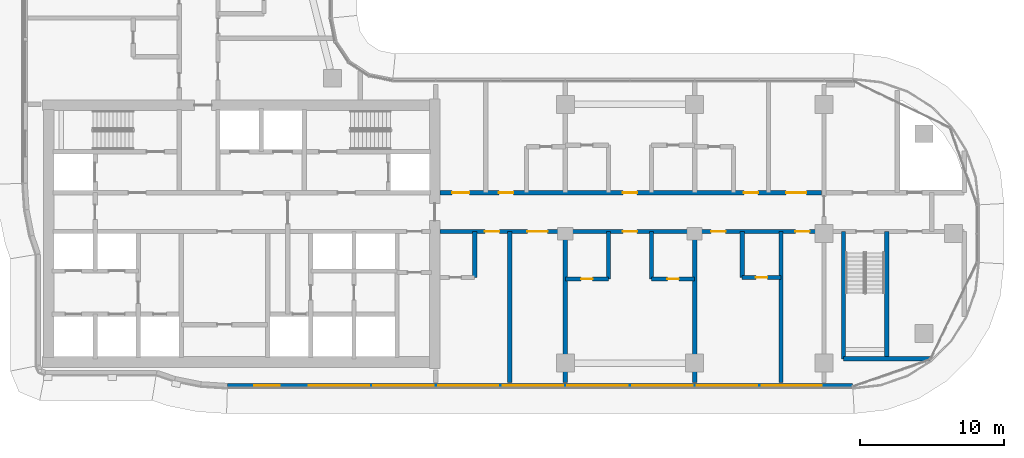
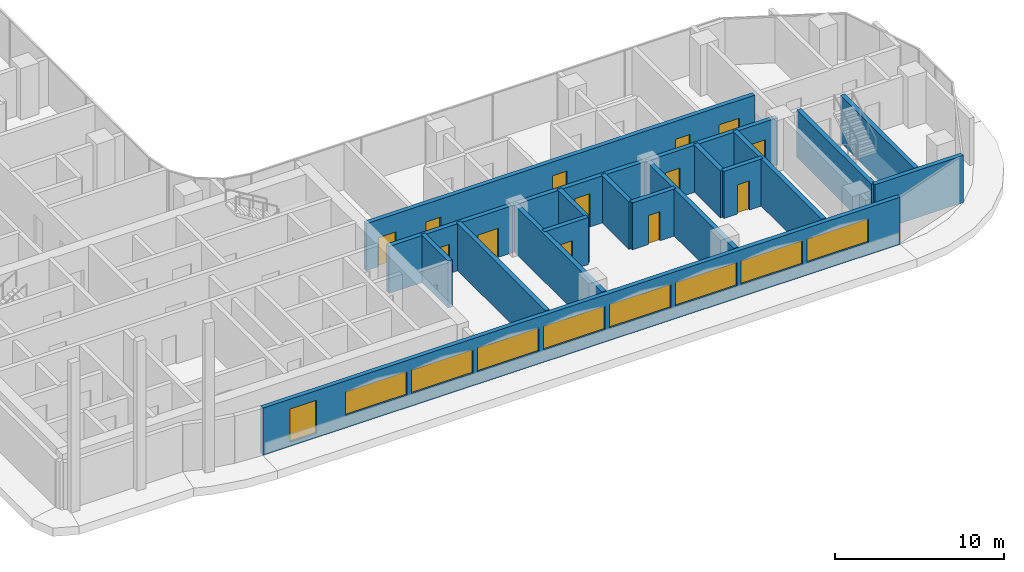
# One storey, part 11 of 25: 17 walls, 13 doors, 9 windows, 22 openings.
"""IFC4 building model written with IfcOpenShell, lengths in metres."""

from ifc_helpers import new_model, si_unit, direction, frame, frame_2d, origin, place, context, subcontext, project, spatial, rectangle, extrude, material, layer, layer_set, type_object, element, fill, save


model = new_model("IFC4")

# Units and contexts
model_context = context("Model", 3, precision=1e-05, world=origin(), true_north=direction((0.0, 1.0)))
body_context = subcontext(model_context, "Body", "Model", "MODEL_VIEW")
ifc_project = project(units=[si_unit("LENGTHUNIT", "METRE"), si_unit("AREAUNIT", "SQUARE_METRE"), si_unit("VOLUMEUNIT", "CUBIC_METRE"), si_unit("PLANEANGLEUNIT", "RADIAN"), si_unit("MASSUNIT", "GRAM", prefix="KILO")], contexts=[model_context])

# Site, building, storey
site_placement = place(None, origin())
site = spatial("IfcSite", under=ifc_project, at=site_placement, CompositionType="ELEMENT")
building_placement = place(site_placement, origin())
building = spatial("IfcBuilding", under=site, at=building_placement, Name="Ogive Portal Towers", CompositionType="ELEMENT")
storey_placement = place(building_placement, frame((0.0, 0.0, 124.10009765625)))
storey = spatial("IfcBuildingStorey", under=building, at=storey_placement, Name="L30", CompositionType="ELEMENT", Elevation=124.10009765625)

# Wall, openings, windows
ifc_material_1 = material(Name="Limestone cladding on lightweight block wall", Category="masonry")
ifc_layer_1 = layer(ifc_material_1, 0.300048828125)
ifc_layer_set_1 = layer_set([ifc_layer_1], Name="EXTERNAL WALL 300 STONE")
wall_type_1 = type_object("IfcWallType", Name="EXTERNAL WALL 300 STONE", PredefinedType="SOLIDWALL", material=ifc_layer_set_1)
wall_1_placement = place(storey_placement, frame((44.009765625, 19.93505859375, 0.0), z_axis=(0.0, 0.0, 1.0), x_axis=(1.0, 0.0, 0.0)))
wall_1 = element("IfcWall", 1, at=wall_1_placement, inside=storey, type_object=wall_type_1, Name="A:L30:f07:r0:wall", PredefinedType="SOLIDWALL", context=body_context, shape_type="SweptSolid", body=[
    extrude(rectangle(XDim=43.4765625, YDim=0.300048828125, at=frame_2d((21.73828125, 0.0))), origin(), (0.0, 0.0, 1.0), 3.39990234375),
])
opening_1_placement = place(wall_1_placement, frame((1.844970703125, 0.0, 0.300048828125)))
opening_1 = element("IfcOpeningElement", 2, at=opening_1_placement, cuts=wall_1, Name="Opening WN10", PredefinedType="OPENING", context=body_context, shape_type="SweptSolid", body=[
    extrude(rectangle(XDim=1.800048828125, YDim=2.39990234375, at=frame_2d((0.89990234375, 1.199951171875))), frame((0.0, 0.16015625, 0.0), z_axis=(0.0, -1.0, 0.0), x_axis=(1.0, 0.0, 0.0)), (0.0, 0.0, 1.0), 0.320068359375),
])
opening_2_placement = place(wall_1_placement, frame((5.64013671875, 0.0, 0.89990234375)))
opening_2 = element("IfcOpeningElement", 3, at=opening_2_placement, cuts=wall_1, Name="Opening WN13", PredefinedType="OPENING", context=body_context, shape_type="SweptSolid", body=[
    extrude(rectangle(XDim=4.199951171875, YDim=1.699951171875, at=frame_2d((2.10009765625, 0.85009765625))), frame((0.0, 0.16015625, 0.0), z_axis=(0.0, -1.0, 0.0), x_axis=(1.0, 0.0, 0.0)), (0.0, 0.0, 1.0), 0.320068359375),
])
opening_3_placement = place(wall_1_placement, frame((10.14013671875, 0.0, 0.89990234375)))
opening_3 = element("IfcOpeningElement", 4, at=opening_3_placement, cuts=wall_1, Name="Opening WN13", PredefinedType="OPENING", context=body_context, shape_type="SweptSolid", body=[
    extrude(rectangle(XDim=4.199951171875, YDim=1.699951171875, at=frame_2d((2.10009765625, 0.85009765625))), frame((0.0, 0.16015625, 0.0), z_axis=(0.0, -1.0, 0.0), x_axis=(1.0, 0.0, 0.0)), (0.0, 0.0, 1.0), 0.320068359375),
])
opening_4_placement = place(wall_1_placement, frame((14.64013671875, 0.0, 0.89990234375)))
opening_4 = element("IfcOpeningElement", 5, at=opening_4_placement, cuts=wall_1, Name="Opening WN13", PredefinedType="OPENING", context=body_context, shape_type="SweptSolid", body=[
    extrude(rectangle(XDim=4.199951171875, YDim=1.699951171875, at=frame_2d((2.10009765625, 0.85009765625))), frame((0.0, 0.16015625, 0.0), z_axis=(0.0, -1.0, 0.0), x_axis=(1.0, 0.0, 0.0)), (0.0, 0.0, 1.0), 0.320068359375),
])
opening_5_placement = place(wall_1_placement, frame((19.14013671875, 0.0, 0.89990234375)))
opening_5 = element("IfcOpeningElement", 6, at=opening_5_placement, cuts=wall_1, Name="Opening WN13", PredefinedType="OPENING", context=body_context, shape_type="SweptSolid", body=[
    extrude(rectangle(XDim=4.199951171875, YDim=1.699951171875, at=frame_2d((2.10009765625, 0.85009765625))), frame((0.0, 0.16015625, 0.0), z_axis=(0.0, -1.0, 0.0), x_axis=(1.0, 0.0, 0.0)), (0.0, 0.0, 1.0), 0.320068359375),
])
opening_6_placement = place(wall_1_placement, frame((23.64013671875, 0.0, 0.89990234375)))
opening_6 = element("IfcOpeningElement", 7, at=opening_6_placement, cuts=wall_1, Name="Opening WN13", PredefinedType="OPENING", context=body_context, shape_type="SweptSolid", body=[
    extrude(rectangle(XDim=4.199951171875, YDim=1.699951171875, at=frame_2d((2.10009765625, 0.85009765625))), frame((0.0, 0.16015625, 0.0), z_axis=(0.0, -1.0, 0.0), x_axis=(1.0, 0.0, 0.0)), (0.0, 0.0, 1.0), 0.320068359375),
])
opening_7_placement = place(wall_1_placement, frame((28.14013671875, 0.0, 0.89990234375)))
opening_7 = element("IfcOpeningElement", 8, at=opening_7_placement, cuts=wall_1, Name="Opening WN13", PredefinedType="OPENING", context=body_context, shape_type="SweptSolid", body=[
    extrude(rectangle(XDim=4.199951171875, YDim=1.699951171875, at=frame_2d((2.10009765625, 0.85009765625))), frame((0.0, 0.16015625, 0.0), z_axis=(0.0, -1.0, 0.0), x_axis=(1.0, 0.0, 0.0)), (0.0, 0.0, 1.0), 0.320068359375),
])
opening_8_placement = place(wall_1_placement, frame((32.64013671875, 0.0, 0.89990234375)))
opening_8 = element("IfcOpeningElement", 9, at=opening_8_placement, cuts=wall_1, Name="Opening WN13", PredefinedType="OPENING", context=body_context, shape_type="SweptSolid", body=[
    extrude(rectangle(XDim=4.199951171875, YDim=1.699951171875, at=frame_2d((2.10009765625, 0.85009765625))), frame((0.0, 0.16015625, 0.0), z_axis=(0.0, -1.0, 0.0), x_axis=(1.0, 0.0, 0.0)), (0.0, 0.0, 1.0), 0.320068359375),
])
opening_9_placement = place(wall_1_placement, frame((37.14013671875, 0.0, 0.89990234375)))
opening_9 = element("IfcOpeningElement", 10, at=opening_9_placement, cuts=wall_1, Name="Opening WN13", PredefinedType="OPENING", context=body_context, shape_type="SweptSolid", body=[
    extrude(rectangle(XDim=4.199951171875, YDim=1.699951171875, at=frame_2d((2.10009765625, 0.85009765625))), frame((0.0, 0.16015625, 0.0), z_axis=(0.0, -1.0, 0.0), x_axis=(1.0, 0.0, 0.0)), (0.0, 0.0, 1.0), 0.320068359375),
])
ifc_material_2 = material(Name="Glass, clear low-iron insulated glazing", Category="glass")
window_type_1 = type_object("IfcWindowType", Name="WINDOW RIBBON LANCET 4200x1700", PartitioningType="TRIPLE_PANEL_VERTICAL", PredefinedType="WINDOW", material=ifc_material_2)
window_1_placement = place(opening_2_placement, origin())
window_1 = element("IfcWindow", 11, at=window_1_placement, inside=storey, type_object=window_type_1, Name="A:L30:f07:r0:w1", OverallHeight=1.699951171875, OverallWidth=4.199951171875, PartitioningType="SINGLE_PANEL", PredefinedType="WINDOW", context=body_context, shape_type="SweptSolid", body=[
    extrude(rectangle(XDim=4.199951171875, YDim=1.699951171875, at=frame_2d((2.10009765625, 0.85009765625))), frame((0.0, 0.030029296875, 0.0), z_axis=(0.0, -1.0, 0.0), x_axis=(1.0, 0.0, 0.0)), (0.0, 0.0, 1.0), 0.06005859375),
])
fill(opening_2, window_1)
window_2_placement = place(opening_3_placement, origin())
window_2 = element("IfcWindow", 12, at=window_2_placement, inside=storey, type_object=window_type_1, Name="A:L30:f07:r0:w2", OverallHeight=1.699951171875, OverallWidth=4.199951171875, PartitioningType="SINGLE_PANEL", PredefinedType="WINDOW", context=body_context, shape_type="SweptSolid", body=[
    extrude(rectangle(XDim=4.199951171875, YDim=1.699951171875, at=frame_2d((2.10009765625, 0.85009765625))), frame((0.0, 0.030029296875, 0.0), z_axis=(0.0, -1.0, 0.0), x_axis=(1.0, 0.0, 0.0)), (0.0, 0.0, 1.0), 0.06005859375),
])
fill(opening_3, window_2)
window_3_placement = place(opening_4_placement, origin())
window_3 = element("IfcWindow", 13, at=window_3_placement, inside=storey, type_object=window_type_1, Name="A:L30:f07:r0:w3", OverallHeight=1.699951171875, OverallWidth=4.199951171875, PartitioningType="SINGLE_PANEL", PredefinedType="WINDOW", context=body_context, shape_type="SweptSolid", body=[
    extrude(rectangle(XDim=4.199951171875, YDim=1.699951171875, at=frame_2d((2.10009765625, 0.85009765625))), frame((0.0, 0.030029296875, 0.0), z_axis=(0.0, -1.0, 0.0), x_axis=(1.0, 0.0, 0.0)), (0.0, 0.0, 1.0), 0.06005859375),
])
fill(opening_4, window_3)
window_4_placement = place(opening_5_placement, origin())
window_4 = element("IfcWindow", 14, at=window_4_placement, inside=storey, type_object=window_type_1, Name="A:L30:f07:r0:w4", OverallHeight=1.699951171875, OverallWidth=4.199951171875, PartitioningType="SINGLE_PANEL", PredefinedType="WINDOW", context=body_context, shape_type="SweptSolid", body=[
    extrude(rectangle(XDim=4.199951171875, YDim=1.699951171875, at=frame_2d((2.10009765625, 0.85009765625))), frame((0.0, 0.030029296875, 0.0), z_axis=(0.0, -1.0, 0.0), x_axis=(1.0, 0.0, 0.0)), (0.0, 0.0, 1.0), 0.06005859375),
])
fill(opening_5, window_4)
window_5_placement = place(opening_6_placement, origin())
window_5 = element("IfcWindow", 15, at=window_5_placement, inside=storey, type_object=window_type_1, Name="A:L30:f07:r0:w5", OverallHeight=1.699951171875, OverallWidth=4.199951171875, PartitioningType="SINGLE_PANEL", PredefinedType="WINDOW", context=body_context, shape_type="SweptSolid", body=[
    extrude(rectangle(XDim=4.199951171875, YDim=1.699951171875, at=frame_2d((2.10009765625, 0.85009765625))), frame((0.0, 0.030029296875, 0.0), z_axis=(0.0, -1.0, 0.0), x_axis=(1.0, 0.0, 0.0)), (0.0, 0.0, 1.0), 0.06005859375),
])
fill(opening_6, window_5)
window_6_placement = place(opening_7_placement, origin())
window_6 = element("IfcWindow", 16, at=window_6_placement, inside=storey, type_object=window_type_1, Name="A:L30:f07:r0:w6", OverallHeight=1.699951171875, OverallWidth=4.199951171875, PartitioningType="SINGLE_PANEL", PredefinedType="WINDOW", context=body_context, shape_type="SweptSolid", body=[
    extrude(rectangle(XDim=4.199951171875, YDim=1.699951171875, at=frame_2d((2.10009765625, 0.85009765625))), frame((0.0, 0.030029296875, 0.0), z_axis=(0.0, -1.0, 0.0), x_axis=(1.0, 0.0, 0.0)), (0.0, 0.0, 1.0), 0.06005859375),
])
fill(opening_7, window_6)
window_7_placement = place(opening_8_placement, origin())
window_7 = element("IfcWindow", 17, at=window_7_placement, inside=storey, type_object=window_type_1, Name="A:L30:f07:r0:w7", OverallHeight=1.699951171875, OverallWidth=4.199951171875, PartitioningType="SINGLE_PANEL", PredefinedType="WINDOW", context=body_context, shape_type="SweptSolid", body=[
    extrude(rectangle(XDim=4.199951171875, YDim=1.699951171875, at=frame_2d((2.10009765625, 0.85009765625))), frame((0.0, 0.030029296875, 0.0), z_axis=(0.0, -1.0, 0.0), x_axis=(1.0, 0.0, 0.0)), (0.0, 0.0, 1.0), 0.06005859375),
])
fill(opening_8, window_7)
window_8_placement = place(opening_9_placement, origin())
window_8 = element("IfcWindow", 18, at=window_8_placement, inside=storey, type_object=window_type_1, Name="A:L30:f07:r0:w8", OverallHeight=1.699951171875, OverallWidth=4.199951171875, PartitioningType="SINGLE_PANEL", PredefinedType="WINDOW", context=body_context, shape_type="SweptSolid", body=[
    extrude(rectangle(XDim=4.199951171875, YDim=1.699951171875, at=frame_2d((2.10009765625, 0.85009765625))), frame((0.0, 0.030029296875, 0.0), z_axis=(0.0, -1.0, 0.0), x_axis=(1.0, 0.0, 0.0)), (0.0, 0.0, 1.0), 0.06005859375),
])
fill(opening_9, window_8)
window_type_2 = type_object("IfcWindowType", Name="WINDOW SUITE CORNER 1800x2400", PartitioningType="DOUBLE_PANEL_VERTICAL", PredefinedType="WINDOW", material=ifc_material_2)
window_9_placement = place(opening_1_placement, origin())
window_9 = element("IfcWindow", 19, at=window_9_placement, inside=storey, type_object=window_type_2, Name="A:L30:f07:r0:w0", OverallHeight=2.39990234375, OverallWidth=1.800048828125, PartitioningType="SINGLE_PANEL", PredefinedType="WINDOW", context=body_context, shape_type="SweptSolid", body=[
    extrude(rectangle(XDim=1.800048828125, YDim=2.39990234375, at=frame_2d((0.89990234375, 1.199951171875))), frame((0.0, 0.030029296875, 0.0), z_axis=(0.0, -1.0, 0.0), x_axis=(1.0, 0.0, 0.0)), (0.0, 0.0, 1.0), 0.06005859375),
])
fill(opening_1, window_9)

# Walls
ifc_material_3 = material(Name="Concrete C50/60", Category="concrete")
ifc_layer_2 = layer(ifc_material_3, 0.300048828125)
ifc_layer_set_2 = layer_set([ifc_layer_2], Name="STAIR WALL 300 C50")
wall_type_2 = type_object("IfcWallType", Name="STAIR WALL 300 C50", PredefinedType="SHEAR", material=ifc_layer_set_2)
wall_2_placement = place(storey_placement, frame((86.85009765625, 21.800048828125, 0.0), z_axis=(0.0, 0.0, 1.0), x_axis=(1.0, 0.0, 0.0)))
element("IfcWall", 20, at=wall_2_placement, inside=storey, type_object=wall_type_2, Name="Stair wall ST-A4 L30", PredefinedType="SHEAR", context=body_context, shape_type="SweptSolid", body=[
    extrude(rectangle(XDim=6.0458984375, YDim=0.300048828125, at=frame_2d((3.02294921875, 0.0))), origin(), (0.0, 0.0, 1.0), 3.39990234375),
])
for number, where, z_axis, x_axis, name in (
    (21, (86.85009765625, 21.800048828125, 0.0), (0.0, 0.0, 1.0), (0.0, 1.0, 0.0), "Stair wall ST-A4 L30"),
    (22, (89.85009765625, 21.800048828125, 0.0), (0.0, 0.0, 1.0), (0.0, 1.0, 0.0), "Stair wall ST-A4 L30"),
):
    element("IfcWall", number, at=place(storey_placement, frame(where, z_axis=z_axis, x_axis=x_axis)), inside=storey, type_object=wall_type_2, Name=name, PredefinedType="SHEAR", context=body_context, shape_type="SweptSolid", body=[
        extrude(rectangle(XDim=8.849853515625, YDim=0.300048828125, at=frame_2d((4.4248046875, 0.0))), origin(), (0.0, 0.0, 1.0), 3.39990234375),
    ])

# Wall, openings, doors
ifc_material_4 = material(Name="Gypsum board partition on steel studs", Category="steel")
ifc_layer_3 = layer(ifc_material_4, 0.300048828125)
ifc_layer_set_3 = layer_set([ifc_layer_3], Name="WT-PART-300-EI 120")
wall_type_3 = type_object("IfcWallType", Name="WT-PART-300-EI 120", PredefinedType="PARTITIONING", material=ifc_layer_set_3)
wall_3_placement = place(storey_placement, frame((58.800048828125, 30.64990234375, 0.0), z_axis=(0.0, 0.0, 1.0), x_axis=(1.0, 0.0, 0.0)))
wall_3 = element("IfcWall", 23, at=wall_3_placement, inside=storey, type_object=wall_type_3, Name="Wall L30:w006", PredefinedType="PARTITIONING", context=body_context, shape_type="SweptSolid", body=[
    extrude(rectangle(XDim=26.530029296875, YDim=0.300048828125, at=frame_2d((13.26513671875, 0.0))), origin(), (0.0, 0.0, 1.0), 3.39990234375),
])
opening_10_placement = place(wall_3_placement, frame((3.114990234375, 0.0, 0.0)))
opening_10 = element("IfcOpeningElement", 24, at=opening_10_placement, cuts=wall_3, Name="Opening D11-031", PredefinedType="OPENING", context=body_context, shape_type="SweptSolid", body=[
    extrude(rectangle(XDim=1.0, YDim=2.10009765625, at=frame_2d((0.5, 1.050048828125))), frame((0.0, 0.16015625, 0.0), z_axis=(0.0, -1.0, 0.0), x_axis=(1.0, 0.0, 0.0)), (0.0, 0.0, 1.0), 0.320068359375),
])
opening_11_placement = place(wall_3_placement, frame((6.06494140625, 0.0, 0.0)))
opening_11 = element("IfcOpeningElement", 25, at=opening_11_placement, cuts=wall_3, Name="Opening D11-032", PredefinedType="OPENING", context=body_context, shape_type="SweptSolid", body=[
    extrude(rectangle(XDim=1.39990234375, YDim=2.10009765625, at=frame_2d((0.699951171875, 1.050048828125))), frame((0.0, 0.16015625, 0.0), z_axis=(0.0, -1.0, 0.0), x_axis=(1.0, 0.0, 0.0)), (0.0, 0.0, 1.0), 0.320068359375),
])
opening_12_placement = place(wall_3_placement, frame((12.699951171875, 0.0, 0.0)))
opening_12 = element("IfcOpeningElement", 26, at=opening_12_placement, cuts=wall_3, Name="Opening D11-038", PredefinedType="OPENING", context=body_context, shape_type="SweptSolid", body=[
    extrude(rectangle(XDim=1.0, YDim=2.39990234375, at=frame_2d((0.5, 1.199951171875))), frame((0.0, 0.16015625, 0.0), z_axis=(0.0, -1.0, 0.0), x_axis=(1.0, 0.0, 0.0)), (0.0, 0.0, 1.0), 0.320068359375),
])
opening_13_placement = place(wall_3_placement, frame((18.85009765625, 0.0, 0.0)))
opening_13 = element("IfcOpeningElement", 27, at=opening_13_placement, cuts=wall_3, Name="Opening D11-043", PredefinedType="OPENING", context=body_context, shape_type="SweptSolid", body=[
    extrude(rectangle(XDim=1.0, YDim=2.10009765625, at=frame_2d((0.5, 1.050048828125))), frame((0.0, 0.16015625, 0.0), z_axis=(0.0, -1.0, 0.0), x_axis=(1.0, 0.0, 0.0)), (0.0, 0.0, 1.0), 0.320068359375),
])
opening_14_placement = place(wall_3_placement, frame((24.699951171875, 0.0, 0.0)))
opening_14 = element("IfcOpeningElement", 28, at=opening_14_placement, cuts=wall_3, Name="Opening D11-044", PredefinedType="OPENING", context=body_context, shape_type="SweptSolid", body=[
    extrude(rectangle(XDim=1.0, YDim=2.10009765625, at=frame_2d((0.5, 1.050048828125))), frame((0.0, 0.16015625, 0.0), z_axis=(0.0, -1.0, 0.0), x_axis=(1.0, 0.0, 0.0)), (0.0, 0.0, 1.0), 0.320068359375),
])
ifc_material_5 = material(Name="Steel fire door", Category="steel")
door_type_1 = type_object("IfcDoorType", Name="DT-ENTRY-1000x2100-FD90S", OperationType="SINGLE_SWING_LEFT", PredefinedType="DOOR", material=ifc_material_5)
door_1_placement = place(opening_10_placement, origin())
door_1 = element("IfcDoor", 29, at=door_1_placement, inside=storey, type_object=door_type_1, Name="Door D11-031", OperationType="SINGLE_SWING_LEFT", OverallHeight=2.10009765625, OverallWidth=1.0, PredefinedType="DOOR", context=body_context, shape_type="SweptSolid", body=[
    extrude(rectangle(XDim=1.0, YDim=2.10009765625, at=frame_2d((0.5, 1.050048828125))), frame((0.0, 0.02490234375, 0.0), z_axis=(0.0, -1.0, 0.0), x_axis=(1.0, 0.0, 0.0)), (0.0, 0.0, 1.0), 0.050048828125),
])
fill(opening_10, door_1)
door_2_placement = place(opening_13_placement, origin())
door_2 = element("IfcDoor", 30, at=door_2_placement, inside=storey, type_object=door_type_1, Name="Door D11-043", OperationType="SINGLE_SWING_LEFT", OverallHeight=2.10009765625, OverallWidth=1.0, PredefinedType="DOOR", context=body_context, shape_type="SweptSolid", body=[
    extrude(rectangle(XDim=1.0, YDim=2.10009765625, at=frame_2d((0.5, 1.050048828125))), frame((0.0, 0.02490234375, 0.0), z_axis=(0.0, -1.0, 0.0), x_axis=(1.0, 0.0, 0.0)), (0.0, 0.0, 1.0), 0.050048828125),
])
fill(opening_13, door_2)
door_3_placement = place(opening_14_placement, origin())
door_3 = element("IfcDoor", 31, at=door_3_placement, inside=storey, type_object=door_type_1, Name="Door D11-044", OperationType="SINGLE_SWING_RIGHT", OverallHeight=2.10009765625, OverallWidth=1.0, PredefinedType="DOOR", context=body_context, shape_type="SweptSolid", body=[
    extrude(rectangle(XDim=1.0, YDim=2.10009765625, at=frame_2d((0.5, 1.050048828125))), frame((0.0, 0.02490234375, 0.0), z_axis=(0.0, -1.0, 0.0), x_axis=(1.0, 0.0, 0.0)), (0.0, 0.0, 1.0), 0.050048828125),
])
fill(opening_14, door_3)
door_type_2 = type_object("IfcDoorType", Name="DT-ENTRY-1000x2400-FD90S", OperationType="SINGLE_SWING_LEFT", PredefinedType="DOOR", material=ifc_material_5)
door_4_placement = place(opening_12_placement, origin())
door_4 = element("IfcDoor", 32, at=door_4_placement, inside=storey, type_object=door_type_2, Name="Door D11-038", OperationType="SINGLE_SWING_LEFT", OverallHeight=2.39990234375, OverallWidth=1.0, PredefinedType="DOOR", context=body_context, shape_type="SweptSolid", body=[
    extrude(rectangle(XDim=1.0, YDim=2.39990234375, at=frame_2d((0.5, 1.199951171875))), frame((0.0, 0.02490234375, 0.0), z_axis=(0.0, -1.0, 0.0), x_axis=(1.0, 0.0, 0.0)), (0.0, 0.0, 1.0), 0.050048828125),
])
fill(opening_12, door_4)
door_type_3 = type_object("IfcDoorType", Name="DT-ENTRY-1400x2100-FD90S", OperationType="SINGLE_SWING_LEFT", PredefinedType="DOOR", material=ifc_material_5)
door_5_placement = place(opening_11_placement, origin())
door_5 = element("IfcDoor", 33, at=door_5_placement, inside=storey, type_object=door_type_3, Name="Door D11-032", OperationType="SINGLE_SWING_RIGHT", OverallHeight=2.10009765625, OverallWidth=1.39990234375, PredefinedType="DOOR", context=body_context, shape_type="SweptSolid", body=[
    extrude(rectangle(XDim=1.39990234375, YDim=2.10009765625, at=frame_2d((0.699951171875, 1.050048828125))), frame((0.0, 0.02490234375, 0.0), z_axis=(0.0, -1.0, 0.0), x_axis=(1.0, 0.0, 0.0)), (0.0, 0.0, 1.0), 0.050048828125),
])
fill(opening_11, door_5)

wall_4_placement = place(storey_placement, frame((58.800048828125, 33.35009765625, 0.0), z_axis=(0.0, 0.0, 1.0), x_axis=(1.0, 0.0, 0.0)))
wall_4 = element("IfcWall", 34, at=wall_4_placement, inside=storey, type_object=wall_type_3, Name="Wall L30:w008", PredefinedType="PARTITIONING", context=body_context, shape_type="SweptSolid", body=[
    extrude(rectangle(XDim=26.530029296875, YDim=0.300048828125, at=frame_2d((13.26513671875, 0.0))), origin(), (0.0, 0.0, 1.0), 3.39990234375),
])
opening_15_placement = place(wall_4_placement, frame((0.8349609375, 0.0, 0.0)))
opening_15 = element("IfcOpeningElement", 35, at=opening_15_placement, cuts=wall_4, Name="Opening D11-027", PredefinedType="OPENING", context=body_context, shape_type="SweptSolid", body=[
    extrude(rectangle(XDim=1.199951171875, YDim=2.10009765625, at=frame_2d((0.60009765625, 1.050048828125))), frame((0.0, 0.16015625, 0.0), z_axis=(0.0, -1.0, 0.0), x_axis=(1.0, 0.0, 0.0)), (0.0, 0.0, 1.0), 0.320068359375),
])
opening_16_placement = place(wall_4_placement, frame((4.0849609375, 0.0, 0.0)))
opening_16 = element("IfcOpeningElement", 36, at=opening_16_placement, cuts=wall_4, Name="Opening D11-029", PredefinedType="OPENING", context=body_context, shape_type="SweptSolid", body=[
    extrude(rectangle(XDim=1.0, YDim=2.10009765625, at=frame_2d((0.5, 1.050048828125))), frame((0.0, 0.16015625, 0.0), z_axis=(0.0, -1.0, 0.0), x_axis=(1.0, 0.0, 0.0)), (0.0, 0.0, 1.0), 0.320068359375),
])
opening_17_placement = place(wall_4_placement, frame((12.699951171875, 0.0, 0.0)))
opening_17 = element("IfcOpeningElement", 37, at=opening_17_placement, cuts=wall_4, Name="Opening D11-035", PredefinedType="OPENING", context=body_context, shape_type="SweptSolid", body=[
    extrude(rectangle(XDim=1.0, YDim=2.39990234375, at=frame_2d((0.5, 1.199951171875))), frame((0.0, 0.16015625, 0.0), z_axis=(0.0, -1.0, 0.0), x_axis=(1.0, 0.0, 0.0)), (0.0, 0.0, 1.0), 0.320068359375),
])
opening_18_placement = place(wall_4_placement, frame((21.114990234375, 0.0, 0.0)))
opening_18 = element("IfcOpeningElement", 38, at=opening_18_placement, cuts=wall_4, Name="Opening D11-040", PredefinedType="OPENING", context=body_context, shape_type="SweptSolid", body=[
    extrude(rectangle(XDim=1.0, YDim=2.10009765625, at=frame_2d((0.5, 1.050048828125))), frame((0.0, 0.16015625, 0.0), z_axis=(0.0, -1.0, 0.0), x_axis=(1.0, 0.0, 0.0)), (0.0, 0.0, 1.0), 0.320068359375),
])
opening_19_placement = place(wall_4_placement, frame((24.06494140625, 0.0, 0.0)))
opening_19 = element("IfcOpeningElement", 39, at=opening_19_placement, cuts=wall_4, Name="Opening D11-041", PredefinedType="OPENING", context=body_context, shape_type="SweptSolid", body=[
    extrude(rectangle(XDim=1.39990234375, YDim=2.10009765625, at=frame_2d((0.699951171875, 1.050048828125))), frame((0.0, 0.16015625, 0.0), z_axis=(0.0, -1.0, 0.0), x_axis=(1.0, 0.0, 0.0)), (0.0, 0.0, 1.0), 0.320068359375),
])
door_6_placement = place(opening_16_placement, origin())
door_6 = element("IfcDoor", 40, at=door_6_placement, inside=storey, type_object=door_type_1, Name="Door D11-029", OperationType="SINGLE_SWING_LEFT", OverallHeight=2.10009765625, OverallWidth=1.0, PredefinedType="DOOR", context=body_context, shape_type="SweptSolid", body=[
    extrude(rectangle(XDim=1.0, YDim=2.10009765625, at=frame_2d((0.5, 1.050048828125))), frame((0.0, 0.02490234375, 0.0), z_axis=(0.0, -1.0, 0.0), x_axis=(1.0, 0.0, 0.0)), (0.0, 0.0, 1.0), 0.050048828125),
])
fill(opening_16, door_6)
door_7_placement = place(opening_18_placement, origin())
door_7 = element("IfcDoor", 41, at=door_7_placement, inside=storey, type_object=door_type_1, Name="Door D11-040", OperationType="SINGLE_SWING_LEFT", OverallHeight=2.10009765625, OverallWidth=1.0, PredefinedType="DOOR", context=body_context, shape_type="SweptSolid", body=[
    extrude(rectangle(XDim=1.0, YDim=2.10009765625, at=frame_2d((0.5, 1.050048828125))), frame((0.0, 0.02490234375, 0.0), z_axis=(0.0, -1.0, 0.0), x_axis=(1.0, 0.0, 0.0)), (0.0, 0.0, 1.0), 0.050048828125),
])
fill(opening_18, door_7)
door_8_placement = place(opening_17_placement, origin())
door_8 = element("IfcDoor", 42, at=door_8_placement, inside=storey, type_object=door_type_2, Name="Door D11-035", OperationType="SINGLE_SWING_LEFT", OverallHeight=2.39990234375, OverallWidth=1.0, PredefinedType="DOOR", context=body_context, shape_type="SweptSolid", body=[
    extrude(rectangle(XDim=1.0, YDim=2.39990234375, at=frame_2d((0.5, 1.199951171875))), frame((0.0, 0.02490234375, 0.0), z_axis=(0.0, -1.0, 0.0), x_axis=(1.0, 0.0, 0.0)), (0.0, 0.0, 1.0), 0.050048828125),
])
fill(opening_17, door_8)
door_type_4 = type_object("IfcDoorType", Name="DT-ENTRY-1200x2100-FD90S", OperationType="SINGLE_SWING_LEFT", PredefinedType="DOOR", material=ifc_material_5)
door_9_placement = place(opening_15_placement, origin())
door_9 = element("IfcDoor", 43, at=door_9_placement, inside=storey, type_object=door_type_4, Name="Door D11-027", OperationType="SINGLE_SWING_LEFT", OverallHeight=2.10009765625, OverallWidth=1.199951171875, PredefinedType="DOOR", context=body_context, shape_type="SweptSolid", body=[
    extrude(rectangle(XDim=1.199951171875, YDim=2.10009765625, at=frame_2d((0.60009765625, 1.050048828125))), frame((0.0, 0.02490234375, 0.0), z_axis=(0.0, -1.0, 0.0), x_axis=(1.0, 0.0, 0.0)), (0.0, 0.0, 1.0), 0.050048828125),
])
fill(opening_15, door_9)
door_10_placement = place(opening_19_placement, origin())
door_10 = element("IfcDoor", 44, at=door_10_placement, inside=storey, type_object=door_type_3, Name="Door D11-041", OperationType="SINGLE_SWING_RIGHT", OverallHeight=2.10009765625, OverallWidth=1.39990234375, PredefinedType="DOOR", context=body_context, shape_type="SweptSolid", body=[
    extrude(rectangle(XDim=1.39990234375, YDim=2.10009765625, at=frame_2d((0.699951171875, 1.050048828125))), frame((0.0, 0.02490234375, 0.0), z_axis=(0.0, -1.0, 0.0), x_axis=(1.0, 0.0, 0.0)), (0.0, 0.0, 1.0), 0.050048828125),
])
fill(opening_19, door_10)

# Wall, opening, door
ifc_layer_4 = layer(ifc_material_4, 0.300048828125)
ifc_layer_set_4 = layer_set([ifc_layer_4], Name="WT-PART-300-EI 60")
wall_type_4 = type_object("IfcWallType", Name="WT-PART-300-EI 60", PredefinedType="PARTITIONING", material=ifc_layer_set_4)
wall_5_placement = place(storey_placement, frame((67.5, 27.35009765625, 0.0), z_axis=(0.0, 0.0, 1.0), x_axis=(1.0, 0.0, 0.0)))
wall_5 = element("IfcWall", 45, at=wall_5_placement, inside=storey, type_object=wall_type_4, Name="Wall L30:w002", PredefinedType="PARTITIONING", context=body_context, shape_type="SweptSolid", body=[
    extrude(rectangle(XDim=3.0, YDim=0.300048828125, at=frame_2d((1.5, 0.0))), origin(), (0.0, 0.0, 1.0), 3.39990234375),
])
opening_20_placement = place(wall_5_placement, frame((1.10009765625, 0.0, 0.0)))
opening_20 = element("IfcOpeningElement", 46, at=opening_20_placement, cuts=wall_5, Name="Opening D11-036", PredefinedType="OPENING", context=body_context, shape_type="SweptSolid", body=[
    extrude(rectangle(XDim=0.800048828125, YDim=2.10009765625, at=frame_2d((0.39990234375, 1.050048828125))), frame((0.0, 0.16015625, 0.0), z_axis=(0.0, -1.0, 0.0), x_axis=(1.0, 0.0, 0.0)), (0.0, 0.0, 1.0), 0.320068359375),
])
door_type_5 = type_object("IfcDoorType", Name="DT-BATH-800x2100-FD60S", OperationType="SINGLE_SWING_LEFT", PredefinedType="DOOR", material=ifc_material_5)
door_11_placement = place(opening_20_placement, origin())
door_11 = element("IfcDoor", 47, at=door_11_placement, inside=storey, type_object=door_type_5, Name="Door D11-036", OperationType="SINGLE_SWING_LEFT", OverallHeight=2.10009765625, OverallWidth=0.800048828125, PredefinedType="DOOR", context=body_context, shape_type="SweptSolid", body=[
    extrude(rectangle(XDim=0.800048828125, YDim=2.10009765625, at=frame_2d((0.39990234375, 1.050048828125))), frame((0.0, 0.02490234375, 0.0), z_axis=(0.0, -1.0, 0.0), x_axis=(1.0, 0.0, 0.0)), (0.0, 0.0, 1.0), 0.050048828125),
])
fill(opening_20, door_11)

wall_6_placement = place(storey_placement, frame((73.5, 27.35009765625, 0.0), z_axis=(0.0, 0.0, 1.0), x_axis=(1.0, 0.0, 0.0)))
wall_6 = element("IfcWall", 48, at=wall_6_placement, inside=storey, type_object=wall_type_4, Name="Wall L30:w003", PredefinedType="PARTITIONING", context=body_context, shape_type="SweptSolid", body=[
    extrude(rectangle(XDim=3.0, YDim=0.300048828125, at=frame_2d((1.5, 0.0))), origin(), (0.0, 0.0, 1.0), 3.39990234375),
])
opening_21_placement = place(wall_6_placement, frame((1.10009765625, 0.0, 0.0)))
opening_21 = element("IfcOpeningElement", 49, at=opening_21_placement, cuts=wall_6, Name="Opening D11-037", PredefinedType="OPENING", context=body_context, shape_type="SweptSolid", body=[
    extrude(rectangle(XDim=0.800048828125, YDim=2.10009765625, at=frame_2d((0.39990234375, 1.050048828125))), frame((0.0, 0.16015625, 0.0), z_axis=(0.0, -1.0, 0.0), x_axis=(1.0, 0.0, 0.0)), (0.0, 0.0, 1.0), 0.320068359375),
])
door_12_placement = place(opening_21_placement, origin())
door_12 = element("IfcDoor", 50, at=door_12_placement, inside=storey, type_object=door_type_5, Name="Door D11-037", OperationType="SINGLE_SWING_RIGHT", OverallHeight=2.10009765625, OverallWidth=0.800048828125, PredefinedType="DOOR", context=body_context, shape_type="SweptSolid", body=[
    extrude(rectangle(XDim=0.800048828125, YDim=2.10009765625, at=frame_2d((0.39990234375, 1.050048828125))), frame((0.0, 0.02490234375, 0.0), z_axis=(0.0, -1.0, 0.0), x_axis=(1.0, 0.0, 0.0)), (0.0, 0.0, 1.0), 0.050048828125),
])
fill(opening_21, door_12)

wall_7_placement = place(storey_placement, frame((79.800048828125, 27.449951171875, 0.0), z_axis=(0.0, 0.0, 1.0), x_axis=(1.0, 0.0, 0.0)))
wall_7 = element("IfcWall", 51, at=wall_7_placement, inside=storey, type_object=wall_type_4, Name="Wall L30:w005", PredefinedType="PARTITIONING", context=body_context, shape_type="SweptSolid", body=[
    extrude(rectangle(XDim=2.699951171875, YDim=0.300048828125, at=frame_2d((1.35009765625, 0.0))), origin(), (0.0, 0.0, 1.0), 3.39990234375),
])
opening_22_placement = place(wall_7_placement, frame((0.949951171875, 0.0, 0.0)))
opening_22 = element("IfcOpeningElement", 52, at=opening_22_placement, cuts=wall_7, Name="Opening D11-042", PredefinedType="OPENING", context=body_context, shape_type="SweptSolid", body=[
    extrude(rectangle(XDim=0.800048828125, YDim=2.10009765625, at=frame_2d((0.39990234375, 1.050048828125))), frame((0.0, 0.16015625, 0.0), z_axis=(0.0, -1.0, 0.0), x_axis=(1.0, 0.0, 0.0)), (0.0, 0.0, 1.0), 0.320068359375),
])
door_13_placement = place(opening_22_placement, origin())
door_13 = element("IfcDoor", 53, at=door_13_placement, inside=storey, type_object=door_type_5, Name="Door D11-042", OperationType="SINGLE_SWING_LEFT", OverallHeight=2.10009765625, OverallWidth=0.800048828125, PredefinedType="DOOR", context=body_context, shape_type="SweptSolid", body=[
    extrude(rectangle(XDim=0.800048828125, YDim=2.10009765625, at=frame_2d((0.39990234375, 1.050048828125))), frame((0.0, 0.02490234375, 0.0), z_axis=(0.0, -1.0, 0.0), x_axis=(1.0, 0.0, 0.0)), (0.0, 0.0, 1.0), 0.050048828125),
])
fill(opening_22, door_13)

# Walls
wall_8_placement = place(storey_placement, frame((61.199951171875, 27.449951171875, 0.0), z_axis=(0.0, 0.0, 1.0), x_axis=(0.0, 1.0, 0.0)))
element("IfcWall", 54, at=wall_8_placement, inside=storey, type_object=wall_type_4, Name="Wall L30:w046", PredefinedType="PARTITIONING", context=body_context, shape_type="SweptSolid", body=[
    extrude(rectangle(XDim=3.199951171875, YDim=0.300048828125, at=frame_2d((1.60009765625, 0.0))), origin(), (0.0, 0.0, 1.0), 3.39990234375),
])
for number, where, z_axis, x_axis, name in (
    (55, (63.6298828125, 20.135009765625, 0.0), (0.0, 0.0, 1.0), (0.0, 1.0, 0.0), "Wall L30:w048"),
    (56, (67.5, 20.135009765625, 0.0), (0.0, 0.0, 1.0), (0.0, 1.0, 0.0), "Wall L30:w050"),
):
    element("IfcWall", number, at=place(storey_placement, frame(where, z_axis=z_axis, x_axis=x_axis)), inside=storey, type_object=wall_type_4, Name=name, PredefinedType="PARTITIONING", context=body_context, shape_type="SweptSolid", body=[
        extrude(rectangle(XDim=10.514892578125, YDim=0.300048828125, at=frame_2d((5.25732421875, 0.0))), origin(), (0.0, 0.0, 1.0), 3.39990234375),
    ])
for number, where, z_axis, x_axis, name in (
    (57, (70.5, 27.35009765625, 0.0), (0.0, 0.0, 1.0), (0.0, 1.0, 0.0), "Wall L30:w052"),
    (58, (73.5, 27.35009765625, 0.0), (0.0, 0.0, 1.0), (0.0, 1.0, 0.0), "Wall L30:w054"),
):
    element("IfcWall", number, at=place(storey_placement, frame(where, z_axis=z_axis, x_axis=x_axis)), inside=storey, type_object=wall_type_4, Name=name, PredefinedType="PARTITIONING", context=body_context, shape_type="SweptSolid", body=[
        extrude(rectangle(XDim=3.2998046875, YDim=0.300048828125, at=frame_2d((1.64990234375, 0.0))), origin(), (0.0, 0.0, 1.0), 3.39990234375),
    ])
wall_9_placement = place(storey_placement, frame((76.5, 20.135009765625, 0.0), z_axis=(0.0, 0.0, 1.0), x_axis=(0.0, 1.0, 0.0)))
element("IfcWall", 59, at=wall_9_placement, inside=storey, type_object=wall_type_4, Name="Wall L30:w056", PredefinedType="PARTITIONING", context=body_context, shape_type="SweptSolid", body=[
    extrude(rectangle(XDim=10.514892578125, YDim=0.300048828125, at=frame_2d((5.25732421875, 0.0))), origin(), (0.0, 0.0, 1.0), 3.39990234375),
])
wall_10_placement = place(storey_placement, frame((79.800048828125, 27.449951171875, 0.0), z_axis=(0.0, 0.0, 1.0), x_axis=(0.0, 1.0, 0.0)))
element("IfcWall", 60, at=wall_10_placement, inside=storey, type_object=wall_type_4, Name="Wall L30:w059", PredefinedType="PARTITIONING", context=body_context, shape_type="SweptSolid", body=[
    extrude(rectangle(XDim=3.199951171875, YDim=0.300048828125, at=frame_2d((1.60009765625, 0.0))), origin(), (0.0, 0.0, 1.0), 3.39990234375),
])
wall_11_placement = place(storey_placement, frame((82.5, 20.135009765625, 0.0), z_axis=(0.0, 0.0, 1.0), x_axis=(0.0, 1.0, 0.0)))
element("IfcWall", 61, at=wall_11_placement, inside=storey, type_object=wall_type_4, Name="Wall L30:w061", PredefinedType="PARTITIONING", context=body_context, shape_type="SweptSolid", body=[
    extrude(rectangle(XDim=10.514892578125, YDim=0.300048828125, at=frame_2d((5.25732421875, 0.0))), origin(), (0.0, 0.0, 1.0), 3.39990234375),
])

save(model, "model.ifc")
